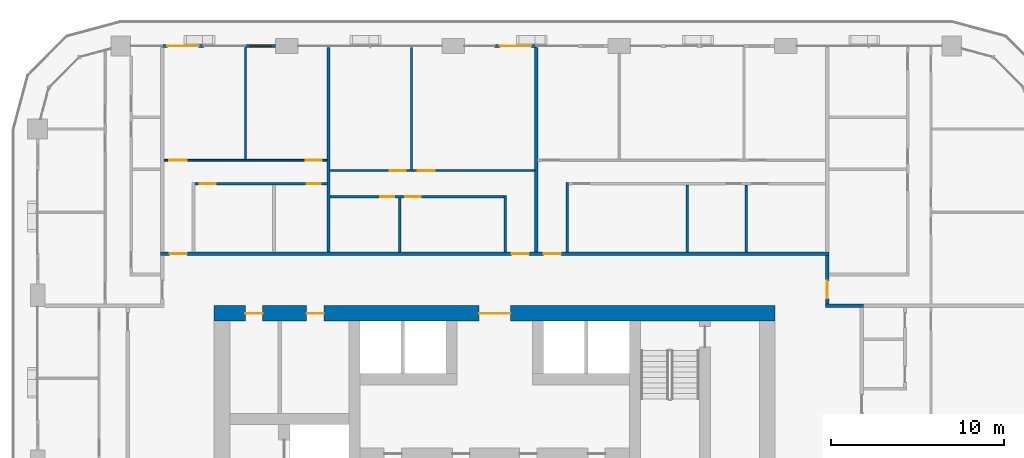
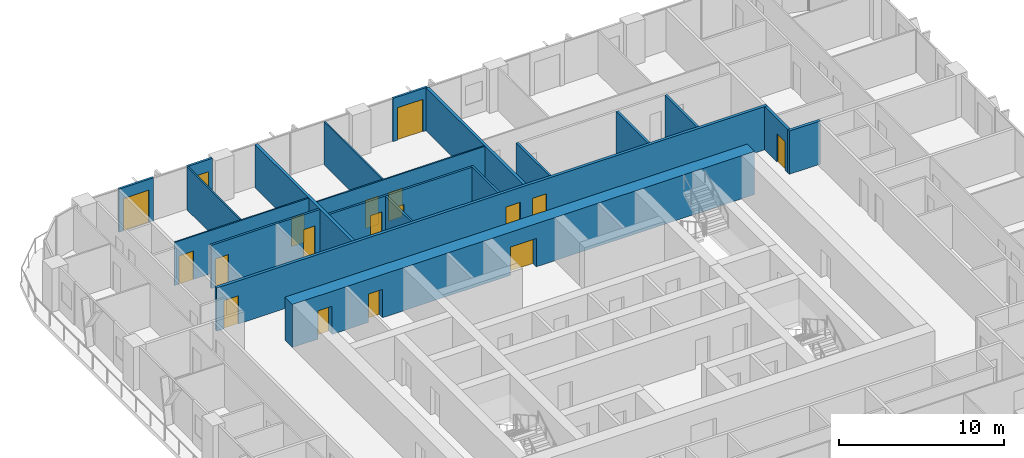
# One storey, part 14 of 22: 20 walls, 17 doors, 1 window, 18 openings.
"""IFC4 building model written with IfcOpenShell, lengths in metres."""

from ifc_helpers import new_model, si_unit, direction, frame, frame_2d, origin, place, context, subcontext, project, spatial, rectangle, extrude, material, layer, layer_set, type_object, element, fill, save


model = new_model("IFC4")

# Units and contexts
model_context = context("Model", 3, precision=1e-05, world=origin(), true_north=direction((0.0, 1.0)))
body_context = subcontext(model_context, "Body", "Model", "MODEL_VIEW")
ifc_project = project(units=[si_unit("LENGTHUNIT", "METRE"), si_unit("AREAUNIT", "SQUARE_METRE"), si_unit("VOLUMEUNIT", "CUBIC_METRE"), si_unit("PLANEANGLEUNIT", "RADIAN"), si_unit("MASSUNIT", "GRAM", prefix="KILO")], contexts=[model_context])

# Site, building, storey
site_placement = place(None, origin())
site = spatial("IfcSite", under=ifc_project, at=site_placement, CompositionType="ELEMENT")
building_placement = place(site_placement, origin())
building = spatial("IfcBuilding", under=site, at=building_placement, Name="Madar Terraces", CompositionType="ELEMENT")
storey_placement = place(building_placement, frame((0.0, 0.0, 103.199951171875)))
storey = spatial("IfcBuildingStorey", under=building, at=storey_placement, Name="L26", CompositionType="ELEMENT", Elevation=103.199951171875)

# Wall, openings, doors
ifc_material_1 = material(Name="Concrete C80/95", Category="concrete")
ifc_layer_1 = layer(ifc_material_1, 0.89990234375)
ifc_layer_set_1 = layer_set([ifc_layer_1], Name="Concrete C80/95 (CRW2 RC wall 900)")
wall_type_1 = type_object("IfcWallType", Name="CRW2 RC wall 900", PredefinedType="SHEAR", material=ifc_layer_set_1)
wall_1_placement = place(storey_placement, frame((15.0, 37.35009765625, 0.0), z_axis=(0.0, 0.0, 1.0), x_axis=(1.0, 0.0, 0.0)))
wall_1 = element("IfcWall", 1, at=wall_1_placement, inside=storey, type_object=wall_type_1, Name="CORE OUTER WALL", PredefinedType="SHEAR", context=body_context, shape_type="SweptSolid", body=[
    extrude(rectangle(XDim=32.39990234375, YDim=0.89990234375, at=frame_2d((16.199951171875, 0.0))), origin(), (0.0, 0.0, 1.0), 3.199951171875),
])
opening_1_placement = place(wall_1_placement, frame((15.300048828125, 0.0, 0.0)))
opening_1 = element("IfcOpeningElement", 2, at=opening_1_placement, cuts=wall_1, Name="Opening KD1", PredefinedType="OPENING", context=body_context, shape_type="SweptSolid", body=[
    extrude(rectangle(XDim=1.800048828125, YDim=2.10009765625, at=frame_2d((0.89990234375, 1.050048828125))), frame((0.0, 0.4599609375, 0.0), z_axis=(0.0, -1.0, 0.0), x_axis=(1.0, 0.0, 0.0)), (0.0, 0.0, 1.0), 0.919921875),
])
opening_2_placement = place(wall_1_placement, frame((1.793701171875, 0.0, 0.0)))
opening_2 = element("IfcOpeningElement", 3, at=opening_2_placement, cuts=wall_1, Name="Opening KD2", PredefinedType="OPENING", context=body_context, shape_type="SweptSolid", body=[
    extrude(rectangle(XDim=1.0, YDim=2.10009765625, at=frame_2d((0.5, 1.050048828125))), frame((0.0, 0.4599609375, 0.0), z_axis=(0.0, -1.0, 0.0), x_axis=(1.0, 0.0, 0.0)), (0.0, 0.0, 1.0), 0.919921875),
])
opening_3_placement = place(wall_1_placement, frame((5.331298828125, 0.0, 0.0)))
opening_3 = element("IfcOpeningElement", 4, at=opening_3_placement, cuts=wall_1, Name="Opening KD2", PredefinedType="OPENING", context=body_context, shape_type="SweptSolid", body=[
    extrude(rectangle(XDim=1.0, YDim=2.10009765625, at=frame_2d((0.5, 1.050048828125))), frame((0.0, 0.4599609375, 0.0), z_axis=(0.0, -1.0, 0.0), x_axis=(1.0, 0.0, 0.0)), (0.0, 0.0, 1.0), 0.919921875),
])
ifc_material_2 = material(Name="Steel door leaf", Category="steel")
door_type_1 = type_object("IfcDoorType", Name="Lobby door pair 1800 x 2100", OperationType="DOUBLE_DOOR_SINGLE_SWING", PredefinedType="DOOR", material=ifc_material_2)
door_1_placement = place(opening_1_placement, origin())
door_1 = element("IfcDoor", 5, at=door_1_placement, inside=storey, type_object=door_type_1, Name="LIFT LOBBY DOOR", OperationType="DOUBLE_DOOR_SINGLE_SWING", OverallHeight=2.10009765625, OverallWidth=1.800048828125, PredefinedType="DOOR", context=body_context, shape_type="SweptSolid", body=[
    extrude(rectangle(XDim=1.800048828125, YDim=2.10009765625, at=frame_2d((0.89990234375, 1.050048828125))), frame((0.0, 0.02490234375, 0.0), z_axis=(0.0, -1.0, 0.0), x_axis=(1.0, 0.0, 0.0)), (0.0, 0.0, 1.0), 0.050048828125),
])
fill(opening_1, door_1)
ifc_material_3 = material(Name="Steel door leaf", Category="steel")
door_type_2 = type_object("IfcDoorType", Name="Service room door 1000 x 2100", OperationType="NOTDEFINED", PredefinedType="DOOR", material=ifc_material_3)
door_2_placement = place(opening_2_placement, origin())
door_2 = element("IfcDoor", 6, at=door_2_placement, inside=storey, type_object=door_type_2, Name="SERVICE ROOM DOOR", OperationType="SINGLE_SWING_LEFT", OverallHeight=2.10009765625, OverallWidth=1.0, PredefinedType="DOOR", context=body_context, shape_type="SweptSolid", body=[
    extrude(rectangle(XDim=1.0, YDim=2.10009765625, at=frame_2d((0.5, 1.050048828125))), frame((0.0, 0.02490234375, 0.0), z_axis=(0.0, -1.0, 0.0), x_axis=(1.0, 0.0, 0.0)), (0.0, 0.0, 1.0), 0.050048828125),
])
fill(opening_2, door_2)
door_3_placement = place(opening_3_placement, origin())
door_3 = element("IfcDoor", 7, at=door_3_placement, inside=storey, type_object=door_type_2, Name="SERVICE ROOM DOOR", OperationType="SINGLE_SWING_RIGHT", OverallHeight=2.10009765625, OverallWidth=1.0, PredefinedType="DOOR", context=body_context, shape_type="SweptSolid", body=[
    extrude(rectangle(XDim=1.0, YDim=2.10009765625, at=frame_2d((0.5, 1.050048828125))), frame((0.0, 0.02490234375, 0.0), z_axis=(0.0, -1.0, 0.0), x_axis=(1.0, 0.0, 0.0)), (0.0, 0.0, 1.0), 0.050048828125),
])
fill(opening_3, door_3)

# Wall, opening, door
ifc_material_4 = material(Name="Aluminium composite panel, black, over insulated backing", Category="aluminium")
ifc_layer_2 = layer(ifc_material_4, 0.14990234375)
ifc_layer_set_2 = layer_set([ifc_layer_2], Name="Facade bay panel 150")
wall_type_2 = type_object("IfcWallType", Name="Facade bay panel 150", PredefinedType="SOLIDWALL", material=ifc_layer_set_2)
wall_2_placement = place(storey_placement, frame((33.60009765625, 52.800048828125, 0.0), z_axis=(0.0, 0.0, 1.0), x_axis=(-1.0, 0.0, 0.0)))
wall_2 = element("IfcWall", 8, at=wall_2_placement, inside=storey, type_object=wall_type_2, Name="Facade bay panel", PredefinedType="SOLIDWALL", context=body_context, shape_type="SweptSolid", body=[
    extrude(rectangle(XDim=2.400146484375, YDim=0.14990234375, at=frame_2d((1.2001953125, 0.0))), origin(), (0.0, 0.0, 1.0), 3.199951171875),
])
opening_4_placement = place(wall_2_placement, frame((0.300048828125, 0.0, 0.0)))
opening_4 = element("IfcOpeningElement", 9, at=opening_4_placement, cuts=wall_2, Name="Opening ED1", PredefinedType="OPENING", context=body_context, shape_type="SweptSolid", body=[
    extrude(rectangle(XDim=1.800048828125, YDim=2.39990234375, at=frame_2d((0.89990234375, 1.199951171875))), frame((0.0, 0.0849609375, 0.0), z_axis=(0.0, -1.0, 0.0), x_axis=(1.0, 0.0, 0.0)), (0.0, 0.0, 1.0), 0.169921875),
])
ifc_material_5 = material(Name="Glass, clear, with black aluminium frame", Category="aluminium")
door_type_3 = type_object("IfcDoorType", Name="Balcony and terrace sliding door 1800 x 2400", OperationType="SLIDING_TO_LEFT", PredefinedType="DOOR", material=ifc_material_5)
door_4_placement = place(opening_4_placement, origin())
door_4 = element("IfcDoor", 10, at=door_4_placement, inside=storey, type_object=door_type_3, Name="Balcony door", OperationType="SLIDING_TO_LEFT", OverallHeight=2.39990234375, OverallWidth=1.800048828125, PredefinedType="DOOR", context=body_context, shape_type="SweptSolid", body=[
    extrude(rectangle(XDim=1.800048828125, YDim=2.39990234375, at=frame_2d((0.89990234375, 1.199951171875))), frame((0.0, 0.02490234375, 0.0), z_axis=(0.0, -1.0, 0.0), x_axis=(1.0, 0.0, 0.0)), (0.0, 0.0, 1.0), 0.050048828125),
])
fill(opening_4, door_4)

# Wall, opening, window
wall_3_placement = place(storey_placement, frame((18.550048828125, 52.800048828125, 0.0), z_axis=(0.0, 0.0, 1.0), x_axis=(-1.0, 0.0, 0.0)))
wall_3 = element("IfcWall", 11, at=wall_3_placement, inside=storey, type_object=wall_type_2, Name="Facade bay panel", PredefinedType="SOLIDWALL", context=body_context, shape_type="SweptSolid", body=[
    extrude(rectangle(XDim=1.75, YDim=0.14990234375, at=frame_2d((0.875, 0.0))), origin(), (0.0, 0.0, 1.0), 3.199951171875),
])
opening_5_placement = place(wall_3_placement, frame((0.27490234375, 0.0, 0.89990234375)))
opening_5 = element("IfcOpeningElement", 12, at=opening_5_placement, cuts=wall_3, Name="Opening W1", PredefinedType="OPENING", context=body_context, shape_type="SweptSolid", body=[
    extrude(rectangle(XDim=1.199951171875, YDim=1.39990234375, at=frame_2d((0.60009765625, 0.699951171875))), frame((0.0, 0.0849609375, 0.0), z_axis=(0.0, -1.0, 0.0), x_axis=(1.0, 0.0, 0.0)), (0.0, 0.0, 1.0), 0.169921875),
])
ifc_material_6 = material(Name="Glass, clear, with black aluminium frame", Category="aluminium")
window_type = type_object("IfcWindowType", Name="Vent window 1200 x 1400", PartitioningType="SINGLE_PANEL", PredefinedType="WINDOW", material=ifc_material_6)
window_placement = place(opening_5_placement, origin())
window = element("IfcWindow", 13, at=window_placement, inside=storey, type_object=window_type, Name="Operable vent window", OverallHeight=1.39990234375, OverallWidth=1.199951171875, PartitioningType="SINGLE_PANEL", PredefinedType="WINDOW", context=body_context, shape_type="SweptSolid", body=[
    extrude(rectangle(XDim=1.199951171875, YDim=1.39990234375, at=frame_2d((0.60009765625, 0.699951171875))), frame((0.0, 0.030029296875, 0.0), z_axis=(0.0, -1.0, 0.0), x_axis=(1.0, 0.0, 0.0)), (0.0, 0.0, 1.0), 0.06005859375),
])
fill(opening_5, window)

# Wall, opening, door
wall_4_placement = place(storey_placement, frame((14.39990234375, 52.800048828125, 0.0), z_axis=(0.0, 0.0, 1.0), x_axis=(-1.0, 0.0, 0.0)))
wall_4 = element("IfcWall", 14, at=wall_4_placement, inside=storey, type_object=wall_type_2, Name="Facade bay panel", PredefinedType="SOLIDWALL", context=body_context, shape_type="SweptSolid", body=[
    extrude(rectangle(XDim=2.39990234375, YDim=0.14990234375, at=frame_2d((1.199951171875, 0.0))), origin(), (0.0, 0.0, 1.0), 3.199951171875),
])
opening_6_placement = place(wall_4_placement, frame((0.300048828125, 0.0, 0.0)))
opening_6 = element("IfcOpeningElement", 15, at=opening_6_placement, cuts=wall_4, Name="Opening ED1", PredefinedType="OPENING", context=body_context, shape_type="SweptSolid", body=[
    extrude(rectangle(XDim=1.800048828125, YDim=2.39990234375, at=frame_2d((0.89990234375, 1.199951171875))), frame((0.0, 0.0849609375, 0.0), z_axis=(0.0, -1.0, 0.0), x_axis=(1.0, 0.0, 0.0)), (0.0, 0.0, 1.0), 0.169921875),
])
door_5_placement = place(opening_6_placement, origin())
door_5 = element("IfcDoor", 16, at=door_5_placement, inside=storey, type_object=door_type_3, Name="Balcony door", OperationType="SLIDING_TO_RIGHT", OverallHeight=2.39990234375, OverallWidth=1.800048828125, PredefinedType="DOOR", context=body_context, shape_type="SweptSolid", body=[
    extrude(rectangle(XDim=1.800048828125, YDim=2.39990234375, at=frame_2d((0.89990234375, 1.199951171875))), frame((0.0, 0.02490234375, 0.0), z_axis=(0.0, -1.0, 0.0), x_axis=(1.0, 0.0, 0.0)), (0.0, 0.0, 1.0), 0.050048828125),
])
fill(opening_6, door_5)

# Wall
ifc_material_7 = material(Name="Gypsum board on steel studs", Category="steel")
ifc_layer_3 = layer(ifc_material_7, 0.10009765625)
ifc_layer_set_3 = layer_set([ifc_layer_3], Name="Flat partition 100")
wall_type_3 = type_object("IfcWallType", Name="Flat partition 100", PredefinedType="PARTITIONING", material=ifc_layer_set_3)
wall_5_placement = place(storey_placement, frame((26.39990234375, 45.64990234375, 0.0), z_axis=(0.0, 0.0, 1.0), x_axis=(0.0, 1.0, 0.0)))
element("IfcWall", 17, at=wall_5_placement, inside=storey, type_object=wall_type_3, Name="Flat partition 100", PredefinedType="PARTITIONING", context=body_context, shape_type="SweptSolid", body=[
    extrude(rectangle(XDim=7.050048828125, YDim=0.10009765625, at=frame_2d((3.52490234375, 0.0))), origin(), (0.0, 0.0, 1.0), 3.199951171875),
])

# Wall, openings, doors
wall_6_placement = place(storey_placement, frame((21.699951171875, 45.60009765625, 0.0), z_axis=(0.0, 0.0, 1.0), x_axis=(1.0, 0.0, 0.0)))
wall_6 = element("IfcWall", 18, at=wall_6_placement, inside=storey, type_object=wall_type_3, Name="Flat partition 100", PredefinedType="PARTITIONING", context=body_context, shape_type="SweptSolid", body=[
    extrude(rectangle(XDim=11.800048828125, YDim=0.10009765625, at=frame_2d((5.89990234375, 0.0))), origin(), (0.0, 0.0, 1.0), 3.199951171875),
])
opening_7_placement = place(wall_6_placement, frame((5.050048828125, 0.0, 0.0)))
opening_7 = element("IfcOpeningElement", 19, at=opening_7_placement, cuts=wall_6, Name="Opening D3", PredefinedType="OPENING", context=body_context, shape_type="SweptSolid", body=[
    extrude(rectangle(XDim=1.0, YDim=2.10009765625, at=frame_2d((0.5, 1.050048828125))), frame((0.0, 0.06005859375, 0.0), z_axis=(0.0, -1.0, 0.0), x_axis=(1.0, 0.0, 0.0)), (0.0, 0.0, 1.0), 0.1201171875),
])
opening_8_placement = place(wall_6_placement, frame((3.449951171875, 0.0, 0.0)))
opening_8 = element("IfcOpeningElement", 20, at=opening_8_placement, cuts=wall_6, Name="Opening D2", PredefinedType="OPENING", context=body_context, shape_type="SweptSolid", body=[
    extrude(rectangle(XDim=0.89990234375, YDim=2.10009765625, at=frame_2d((0.449951171875, 1.050048828125))), frame((0.0, 0.06005859375, 0.0), z_axis=(0.0, -1.0, 0.0), x_axis=(1.0, 0.0, 0.0)), (0.0, 0.0, 1.0), 0.1201171875),
])
ifc_material_8 = material(Name="Timber door leaf", Category="wood")
door_type_4 = type_object("IfcDoorType", Name="Flat living room door 1000", OperationType="NOTDEFINED", PredefinedType="DOOR", material=ifc_material_8)
door_6_placement = place(opening_7_placement, origin())
door_6 = element("IfcDoor", 21, at=door_6_placement, inside=storey, type_object=door_type_4, Name="Flat living room door 1000", OperationType="SINGLE_SWING_LEFT", OverallHeight=2.10009765625, OverallWidth=1.0, PredefinedType="DOOR", context=body_context, shape_type="SweptSolid", body=[
    extrude(rectangle(XDim=1.0, YDim=2.10009765625, at=frame_2d((0.5, 1.050048828125))), frame((0.0, 0.02490234375, 0.0), z_axis=(0.0, -1.0, 0.0), x_axis=(1.0, 0.0, 0.0)), (0.0, 0.0, 1.0), 0.050048828125),
])
fill(opening_7, door_6)
ifc_material_9 = material(Name="Timber door leaf", Category="wood")
door_type_5 = type_object("IfcDoorType", Name="Flat room door 900", OperationType="NOTDEFINED", PredefinedType="DOOR", material=ifc_material_9)
door_7_placement = place(opening_8_placement, origin())
door_7 = element("IfcDoor", 22, at=door_7_placement, inside=storey, type_object=door_type_5, Name="Flat room door 900", OperationType="SINGLE_SWING_RIGHT", OverallHeight=2.10009765625, OverallWidth=0.89990234375, PredefinedType="DOOR", context=body_context, shape_type="SweptSolid", body=[
    extrude(rectangle(XDim=0.89990234375, YDim=2.10009765625, at=frame_2d((0.449951171875, 1.050048828125))), frame((0.0, 0.02490234375, 0.0), z_axis=(0.0, -1.0, 0.0), x_axis=(1.0, 0.0, 0.0)), (0.0, 0.0, 1.0), 0.050048828125),
])
fill(opening_8, door_7)

# Wall
wall_7_placement = place(storey_placement, frame((16.800048828125, 46.25, 0.0), z_axis=(0.0, 0.0, 1.0), x_axis=(0.0, 1.0, 0.0)))
element("IfcWall", 23, at=wall_7_placement, inside=storey, type_object=wall_type_3, Name="Flat partition 100", PredefinedType="PARTITIONING", context=body_context, shape_type="SweptSolid", body=[
    extrude(rectangle(XDim=6.449951171875, YDim=0.10009765625, at=frame_2d((3.22509765625, 0.0))), origin(), (0.0, 0.0, 1.0), 3.199951171875),
])

# Wall, openings, doors
wall_8_placement = place(storey_placement, frame((12.10009765625, 46.199951171875, 0.0), z_axis=(0.0, 0.0, 1.0), x_axis=(1.0, 0.0, 0.0)))
wall_8 = element("IfcWall", 24, at=wall_8_placement, inside=storey, type_object=wall_type_3, Name="Flat partition 100", PredefinedType="PARTITIONING", context=body_context, shape_type="SweptSolid", body=[
    extrude(rectangle(XDim=9.39990234375, YDim=0.10009765625, at=frame_2d((4.699951171875, 0.0))), origin(), (0.0, 0.0, 1.0), 3.199951171875),
])
opening_9_placement = place(wall_8_placement, frame((0.300048828125, 0.0, 0.0)))
opening_9 = element("IfcOpeningElement", 25, at=opening_9_placement, cuts=wall_8, Name="Opening D3", PredefinedType="OPENING", context=body_context, shape_type="SweptSolid", body=[
    extrude(rectangle(XDim=1.0, YDim=2.10009765625, at=frame_2d((0.5, 1.050048828125))), frame((0.0, 0.06005859375, 0.0), z_axis=(0.0, -1.0, 0.0), x_axis=(1.0, 0.0, 0.0)), (0.0, 0.0, 1.0), 0.1201171875),
])
opening_10_placement = place(wall_8_placement, frame((8.199951171875, 0.0, 0.0)))
opening_10 = element("IfcOpeningElement", 26, at=opening_10_placement, cuts=wall_8, Name="Opening D2", PredefinedType="OPENING", context=body_context, shape_type="SweptSolid", body=[
    extrude(rectangle(XDim=0.89990234375, YDim=2.10009765625, at=frame_2d((0.449951171875, 1.050048828125))), frame((0.0, 0.06005859375, 0.0), z_axis=(0.0, -1.0, 0.0), x_axis=(1.0, 0.0, 0.0)), (0.0, 0.0, 1.0), 0.1201171875),
])
door_8_placement = place(opening_9_placement, origin())
door_8 = element("IfcDoor", 27, at=door_8_placement, inside=storey, type_object=door_type_4, Name="Flat living room door 1000", OperationType="SINGLE_SWING_LEFT", OverallHeight=2.10009765625, OverallWidth=1.0, PredefinedType="DOOR", context=body_context, shape_type="SweptSolid", body=[
    extrude(rectangle(XDim=1.0, YDim=2.10009765625, at=frame_2d((0.5, 1.050048828125))), frame((0.0, 0.02490234375, 0.0), z_axis=(0.0, -1.0, 0.0), x_axis=(1.0, 0.0, 0.0)), (0.0, 0.0, 1.0), 0.050048828125),
])
fill(opening_9, door_8)
door_9_placement = place(opening_10_placement, origin())
door_9 = element("IfcDoor", 28, at=door_9_placement, inside=storey, type_object=door_type_5, Name="Flat room door 900", OperationType="SINGLE_SWING_RIGHT", OverallHeight=2.10009765625, OverallWidth=0.89990234375, PredefinedType="DOOR", context=body_context, shape_type="SweptSolid", body=[
    extrude(rectangle(XDim=0.89990234375, YDim=2.10009765625, at=frame_2d((0.449951171875, 1.050048828125))), frame((0.0, 0.02490234375, 0.0), z_axis=(0.0, -1.0, 0.0), x_axis=(1.0, 0.0, 0.0)), (0.0, 0.0, 1.0), 0.050048828125),
])
fill(opening_10, door_9)

# Wall
ifc_material_10 = material(Name="Lightweight blockwork", Category="masonry")
ifc_layer_4 = layer(ifc_material_10, 0.199951171875)
ifc_layer_set_4 = layer_set([ifc_layer_4], Name="Flat party and entrance wall 200")
wall_type_4 = type_object("IfcWallType", Name="Flat party and entrance wall 200", PredefinedType="PARTITIONING", material=ifc_layer_set_4)
wall_9_placement = place(storey_placement, frame((52.5, 37.800048828125, 0.0), z_axis=(0.0, 0.0, 1.0), x_axis=(-1.0, 0.0, 0.0)))
element("IfcWall", 29, at=wall_9_placement, inside=storey, type_object=wall_type_4, Name="Flat party and entrance wall 200", PredefinedType="PARTITIONING", context=body_context, shape_type="SweptSolid", body=[
    extrude(rectangle(XDim=2.199951171875, YDim=0.199951171875, at=frame_2d((1.10009765625, 0.0))), origin(), (0.0, 0.0, 1.0), 3.199951171875),
])

# Wall, opening, door
wall_10_placement = place(storey_placement, frame((50.39990234375, 40.699951171875, 0.0), z_axis=(0.0, 0.0, 1.0), x_axis=(0.0, -1.0, 0.0)))
wall_10 = element("IfcWall", 30, at=wall_10_placement, inside=storey, type_object=wall_type_4, Name="Flat party and entrance wall 200", PredefinedType="PARTITIONING", context=body_context, shape_type="SweptSolid", body=[
    extrude(rectangle(XDim=2.800048828125, YDim=0.199951171875, at=frame_2d((1.39990234375, 0.0))), origin(), (0.0, 0.0, 1.0), 3.199951171875),
])
opening_11_placement = place(wall_10_placement, frame((1.47509765625, 0.0, 0.0)))
opening_11 = element("IfcOpeningElement", 31, at=opening_11_placement, cuts=wall_10, Name="Opening D1", PredefinedType="OPENING", context=body_context, shape_type="SweptSolid", body=[
    extrude(rectangle(XDim=1.0, YDim=2.10009765625, at=frame_2d((0.5, 1.050048828125))), frame((0.0, 0.10986328125, 0.0), z_axis=(0.0, -1.0, 0.0), x_axis=(1.0, 0.0, 0.0)), (0.0, 0.0, 1.0), 0.219970703125),
])
ifc_material_11 = material(Name="Timber fire door leaf", Category="wood")
door_type_6 = type_object("IfcDoorType", Name="Flat entrance door 1000 FD30S", OperationType="NOTDEFINED", PredefinedType="DOOR", material=ifc_material_11)
door_10_placement = place(opening_11_placement, origin())
door_10 = element("IfcDoor", 32, at=door_10_placement, inside=storey, type_object=door_type_6, Name="Flat entrance door 1000 FD30S", OperationType="SINGLE_SWING_RIGHT", OverallHeight=2.10009765625, OverallWidth=1.0, PredefinedType="DOOR", context=body_context, shape_type="SweptSolid", body=[
    extrude(rectangle(XDim=1.0, YDim=2.10009765625, at=frame_2d((0.5, 1.050048828125))), frame((0.0, 0.02490234375, 0.0), z_axis=(0.0, -1.0, 0.0), x_axis=(1.0, 0.0, 0.0)), (0.0, 0.0, 1.0), 0.050048828125),
])
fill(opening_11, door_10)

# Wall, openings, doors
wall_11_placement = place(storey_placement, frame((11.89990234375, 40.800048828125, 0.0), z_axis=(0.0, 0.0, 1.0), x_axis=(1.0, 0.0, 0.0)))
wall_11 = element("IfcWall", 33, at=wall_11_placement, inside=storey, type_object=wall_type_4, Name="Flat party and entrance wall 200", PredefinedType="PARTITIONING", context=body_context, shape_type="SweptSolid", body=[
    extrude(rectangle(XDim=38.60009765625, YDim=0.199951171875, at=frame_2d((19.300048828125, 0.0))), origin(), (0.0, 0.0, 1.0), 3.199951171875),
])
opening_12_placement = place(wall_11_placement, frame((22.125, 0.0, 0.0)))
opening_12 = element("IfcOpeningElement", 34, at=opening_12_placement, cuts=wall_11, Name="Opening D1", PredefinedType="OPENING", context=body_context, shape_type="SweptSolid", body=[
    extrude(rectangle(XDim=1.0, YDim=2.10009765625, at=frame_2d((0.5, 1.050048828125))), frame((0.0, 0.10986328125, 0.0), z_axis=(0.0, -1.0, 0.0), x_axis=(1.0, 0.0, 0.0)), (0.0, 0.0, 1.0), 0.219970703125),
])
opening_13_placement = place(wall_11_placement, frame((20.27490234375, 0.0, 0.0)))
opening_13 = element("IfcOpeningElement", 35, at=opening_13_placement, cuts=wall_11, Name="Opening D1", PredefinedType="OPENING", context=body_context, shape_type="SweptSolid", body=[
    extrude(rectangle(XDim=1.0, YDim=2.10009765625, at=frame_2d((0.5, 1.050048828125))), frame((0.0, 0.10986328125, 0.0), z_axis=(0.0, -1.0, 0.0), x_axis=(1.0, 0.0, 0.0)), (0.0, 0.0, 1.0), 0.219970703125),
])
opening_14_placement = place(wall_11_placement, frame((0.52490234375, 0.0, 0.0)))
opening_14 = element("IfcOpeningElement", 36, at=opening_14_placement, cuts=wall_11, Name="Opening D1", PredefinedType="OPENING", context=body_context, shape_type="SweptSolid", body=[
    extrude(rectangle(XDim=1.0, YDim=2.10009765625, at=frame_2d((0.5, 1.050048828125))), frame((0.0, 0.10986328125, 0.0), z_axis=(0.0, -1.0, 0.0), x_axis=(1.0, 0.0, 0.0)), (0.0, 0.0, 1.0), 0.219970703125),
])
door_11_placement = place(opening_12_placement, origin())
door_11 = element("IfcDoor", 37, at=door_11_placement, inside=storey, type_object=door_type_6, Name="Flat entrance door 1000 FD30S", OperationType="SINGLE_SWING_LEFT", OverallHeight=2.10009765625, OverallWidth=1.0, PredefinedType="DOOR", context=body_context, shape_type="SweptSolid", body=[
    extrude(rectangle(XDim=1.0, YDim=2.10009765625, at=frame_2d((0.5, 1.050048828125))), frame((0.0, 0.02490234375, 0.0), z_axis=(0.0, -1.0, 0.0), x_axis=(1.0, 0.0, 0.0)), (0.0, 0.0, 1.0), 0.050048828125),
])
fill(opening_12, door_11)
door_12_placement = place(opening_13_placement, origin())
door_12 = element("IfcDoor", 38, at=door_12_placement, inside=storey, type_object=door_type_6, Name="Flat entrance door 1000 FD30S", OperationType="SINGLE_SWING_RIGHT", OverallHeight=2.10009765625, OverallWidth=1.0, PredefinedType="DOOR", context=body_context, shape_type="SweptSolid", body=[
    extrude(rectangle(XDim=1.0, YDim=2.10009765625, at=frame_2d((0.5, 1.050048828125))), frame((0.0, 0.02490234375, 0.0), z_axis=(0.0, -1.0, 0.0), x_axis=(1.0, 0.0, 0.0)), (0.0, 0.0, 1.0), 0.050048828125),
])
fill(opening_13, door_12)
door_13_placement = place(opening_14_placement, origin())
door_13 = element("IfcDoor", 39, at=door_13_placement, inside=storey, type_object=door_type_6, Name="Flat entrance door 1000 FD30S", OperationType="SINGLE_SWING_LEFT", OverallHeight=2.10009765625, OverallWidth=1.0, PredefinedType="DOOR", context=body_context, shape_type="SweptSolid", body=[
    extrude(rectangle(XDim=1.0, YDim=2.10009765625, at=frame_2d((0.5, 1.050048828125))), frame((0.0, 0.02490234375, 0.0), z_axis=(0.0, -1.0, 0.0), x_axis=(1.0, 0.0, 0.0)), (0.0, 0.0, 1.0), 0.050048828125),
])
fill(opening_14, door_13)

# Walls
for number, where, z_axis, x_axis, name in (
    (40, (33.60009765625, 52.699951171875, 0.0), (0.0, 0.0, 1.0), (0.0, -1.0, 0.0), "Flat party and entrance wall 200"),
    (41, (21.60009765625, 52.699951171875, 0.0), (0.0, 0.0, 1.0), (0.0, -1.0, 0.0), "Flat party and entrance wall 200"),
):
    element("IfcWall", number, at=place(storey_placement, frame(where, z_axis=z_axis, x_axis=x_axis)), inside=storey, type_object=wall_type_4, Name=name, PredefinedType="PARTITIONING", context=body_context, shape_type="SweptSolid", body=[
        extrude(rectangle(XDim=11.800048828125, YDim=0.199951171875, at=frame_2d((5.89990234375, 0.0))), origin(), (0.0, 0.0, 1.0), 3.199951171875),
    ])
ifc_material_12 = material(Name="Lightweight blockwork", Category="masonry")
ifc_layer_5 = layer(ifc_material_12, 0.14990234375)
ifc_layer_set_5 = layer_set([ifc_layer_5], Name="Flat wet-room partition 150")
wall_type_5 = type_object("IfcWallType", Name="Flat wet-room partition 150", PredefinedType="PARTITIONING", material=ifc_layer_set_5)
for number, where, z_axis, x_axis, name in (
    (42, (42.3173828125, 40.89990234375, 0.0), (0.0, 0.0, 1.0), (0.0, 1.0, 0.0), "Flat wet-room partition 150"),
    (43, (45.738525390625, 40.89990234375, 0.0), (0.0, 0.0, 1.0), (0.0, 1.0, 0.0), "Flat wet-room partition 150"),
):
    element("IfcWall", number, at=place(storey_placement, frame(where, z_axis=z_axis, x_axis=x_axis)), inside=storey, type_object=wall_type_5, Name=name, PredefinedType="PARTITIONING", context=body_context, shape_type="SweptSolid", body=[
        extrude(rectangle(XDim=3.875, YDim=0.14990234375, at=frame_2d((1.9375, 0.0))), origin(), (0.0, 0.0, 1.0), 3.199951171875),
    ])
wall_12_placement = place(storey_placement, frame((35.39990234375, 40.89990234375, 0.0), z_axis=(0.0, 0.0, 1.0), x_axis=(0.0, 1.0, 0.0)))
element("IfcWall", 44, at=wall_12_placement, inside=storey, type_object=wall_type_5, Name="Flat wet-room partition 150", PredefinedType="PARTITIONING", context=body_context, shape_type="SweptSolid", body=[
    extrude(rectangle(XDim=4.025146484375, YDim=0.14990234375, at=frame_2d((2.0126953125, 0.0))), origin(), (0.0, 0.0, 1.0), 3.199951171875),
])
wall_13_placement = place(storey_placement, frame((25.7099609375, 40.89990234375, 0.0), z_axis=(0.0, 0.0, 1.0), x_axis=(0.0, 1.0, 0.0)))
element("IfcWall", 45, at=wall_13_placement, inside=storey, type_object=wall_type_5, Name="Flat wet-room partition 150", PredefinedType="PARTITIONING", context=body_context, shape_type="SweptSolid", body=[
    extrude(rectangle(XDim=3.125, YDim=0.14990234375, at=frame_2d((1.5625, 0.0))), origin(), (0.0, 0.0, 1.0), 3.199951171875),
])
wall_14_placement = place(storey_placement, frame((31.800048828125, 40.89990234375, 0.0), z_axis=(0.0, 0.0, 1.0), x_axis=(0.0, 1.0, 0.0)))
element("IfcWall", 46, at=wall_14_placement, inside=storey, type_object=wall_type_5, Name="Flat wet-room partition 150", PredefinedType="PARTITIONING", context=body_context, shape_type="SweptSolid", body=[
    extrude(rectangle(XDim=3.275146484375, YDim=0.14990234375, at=frame_2d((1.6376953125, 0.0))), origin(), (0.0, 0.0, 1.0), 3.199951171875),
])

# Wall, openings, doors
wall_15_placement = place(storey_placement, frame((31.72509765625, 44.10009765625, 0.0), z_axis=(0.0, 0.0, 1.0), x_axis=(-1.0, 0.0, 0.0)))
wall_15 = element("IfcWall", 47, at=wall_15_placement, inside=storey, type_object=wall_type_5, Name="Flat wet-room partition 150", PredefinedType="PARTITIONING", context=body_context, shape_type="SweptSolid", body=[
    extrude(rectangle(XDim=10.025146484375, YDim=0.14990234375, at=frame_2d((5.0126953125, 0.0))), origin(), (0.0, 0.0, 1.0), 3.199951171875),
])
opening_15_placement = place(wall_15_placement, frame((4.7900390625, 0.0, 0.0)))
opening_15 = element("IfcOpeningElement", 48, at=opening_15_placement, cuts=wall_15, Name="Opening D2", PredefinedType="OPENING", context=body_context, shape_type="SweptSolid", body=[
    extrude(rectangle(XDim=0.89990234375, YDim=2.10009765625, at=frame_2d((0.449951171875, 1.050048828125))), frame((0.0, 0.0849609375, 0.0), z_axis=(0.0, -1.0, 0.0), x_axis=(1.0, 0.0, 0.0)), (0.0, 0.0, 1.0), 0.169921875),
])
opening_16_placement = place(wall_15_placement, frame((6.340087890625, 0.0, 0.0)))
opening_16 = element("IfcOpeningElement", 49, at=opening_16_placement, cuts=wall_15, Name="Opening D4", PredefinedType="OPENING", context=body_context, shape_type="SweptSolid", body=[
    extrude(rectangle(XDim=0.800048828125, YDim=2.10009765625, at=frame_2d((0.39990234375, 1.050048828125))), frame((0.0, 0.0849609375, 0.0), z_axis=(0.0, -1.0, 0.0), x_axis=(1.0, 0.0, 0.0)), (0.0, 0.0, 1.0), 0.169921875),
])
ifc_material_13 = material(Name="Timber door leaf", Category="wood")
door_type_7 = type_object("IfcDoorType", Name="Flat bathroom door 800", OperationType="NOTDEFINED", PredefinedType="DOOR", material=ifc_material_13)
door_14_placement = place(opening_16_placement, origin())
door_14 = element("IfcDoor", 50, at=door_14_placement, inside=storey, type_object=door_type_7, Name="Flat bathroom door 800", OperationType="SINGLE_SWING_LEFT", OverallHeight=2.10009765625, OverallWidth=0.800048828125, PredefinedType="DOOR", context=body_context, shape_type="SweptSolid", body=[
    extrude(rectangle(XDim=0.800048828125, YDim=2.10009765625, at=frame_2d((0.39990234375, 1.050048828125))), frame((0.0, 0.02490234375, 0.0), z_axis=(0.0, -1.0, 0.0), x_axis=(1.0, 0.0, 0.0)), (0.0, 0.0, 1.0), 0.050048828125),
])
fill(opening_16, door_14)
door_15_placement = place(opening_15_placement, origin())
door_15 = element("IfcDoor", 51, at=door_15_placement, inside=storey, type_object=door_type_5, Name="Flat room door 900", OperationType="SINGLE_SWING_RIGHT", OverallHeight=2.10009765625, OverallWidth=0.89990234375, PredefinedType="DOOR", context=body_context, shape_type="SweptSolid", body=[
    extrude(rectangle(XDim=0.89990234375, YDim=2.10009765625, at=frame_2d((0.449951171875, 1.050048828125))), frame((0.0, 0.02490234375, 0.0), z_axis=(0.0, -1.0, 0.0), x_axis=(1.0, 0.0, 0.0)), (0.0, 0.0, 1.0), 0.050048828125),
])
fill(opening_15, door_15)

wall_16_placement = place(storey_placement, frame((21.5, 44.85009765625, 0.0), z_axis=(0.0, 0.0, 1.0), x_axis=(-1.0, 0.0, 0.0)))
wall_16 = element("IfcWall", 52, at=wall_16_placement, inside=storey, type_object=wall_type_5, Name="Flat wet-room partition 150", PredefinedType="PARTITIONING", context=body_context, shape_type="SweptSolid", body=[
    extrude(rectangle(XDim=7.625, YDim=0.14990234375, at=frame_2d((3.8125, 0.0))), origin(), (0.0, 0.0, 1.0), 3.199951171875),
])
opening_17_placement = place(wall_16_placement, frame((6.425048828125, 0.0, 0.0)))
opening_17 = element("IfcOpeningElement", 53, at=opening_17_placement, cuts=wall_16, Name="Opening D2", PredefinedType="OPENING", context=body_context, shape_type="SweptSolid", body=[
    extrude(rectangle(XDim=0.89990234375, YDim=2.10009765625, at=frame_2d((0.449951171875, 1.050048828125))), frame((0.0, 0.0849609375, 0.0), z_axis=(0.0, -1.0, 0.0), x_axis=(1.0, 0.0, 0.0)), (0.0, 0.0, 1.0), 0.169921875),
])
opening_18_placement = place(wall_16_placement, frame((0.35009765625, 0.0, 0.0)))
opening_18 = element("IfcOpeningElement", 54, at=opening_18_placement, cuts=wall_16, Name="Opening D4", PredefinedType="OPENING", context=body_context, shape_type="SweptSolid", body=[
    extrude(rectangle(XDim=0.800048828125, YDim=2.10009765625, at=frame_2d((0.39990234375, 1.050048828125))), frame((0.0, 0.0849609375, 0.0), z_axis=(0.0, -1.0, 0.0), x_axis=(1.0, 0.0, 0.0)), (0.0, 0.0, 1.0), 0.169921875),
])
door_16_placement = place(opening_18_placement, origin())
door_16 = element("IfcDoor", 55, at=door_16_placement, inside=storey, type_object=door_type_7, Name="Flat bathroom door 800", OperationType="SINGLE_SWING_LEFT", OverallHeight=2.10009765625, OverallWidth=0.800048828125, PredefinedType="DOOR", context=body_context, shape_type="SweptSolid", body=[
    extrude(rectangle(XDim=0.800048828125, YDim=2.10009765625, at=frame_2d((0.39990234375, 1.050048828125))), frame((0.0, 0.02490234375, 0.0), z_axis=(0.0, -1.0, 0.0), x_axis=(1.0, 0.0, 0.0)), (0.0, 0.0, 1.0), 0.050048828125),
])
fill(opening_18, door_16)
door_17_placement = place(opening_17_placement, origin())
door_17 = element("IfcDoor", 56, at=door_17_placement, inside=storey, type_object=door_type_5, Name="Flat room door 900", OperationType="SINGLE_SWING_RIGHT", OverallHeight=2.10009765625, OverallWidth=0.89990234375, PredefinedType="DOOR", context=body_context, shape_type="SweptSolid", body=[
    extrude(rectangle(XDim=0.89990234375, YDim=2.10009765625, at=frame_2d((0.449951171875, 1.050048828125))), frame((0.0, 0.02490234375, 0.0), z_axis=(0.0, -1.0, 0.0), x_axis=(1.0, 0.0, 0.0)), (0.0, 0.0, 1.0), 0.050048828125),
])
fill(opening_17, door_17)

save(model, "model.ifc")
